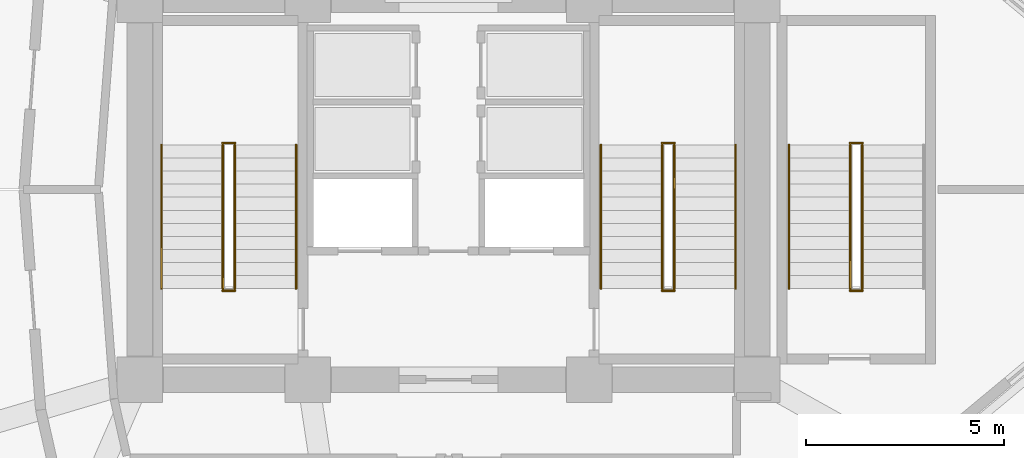
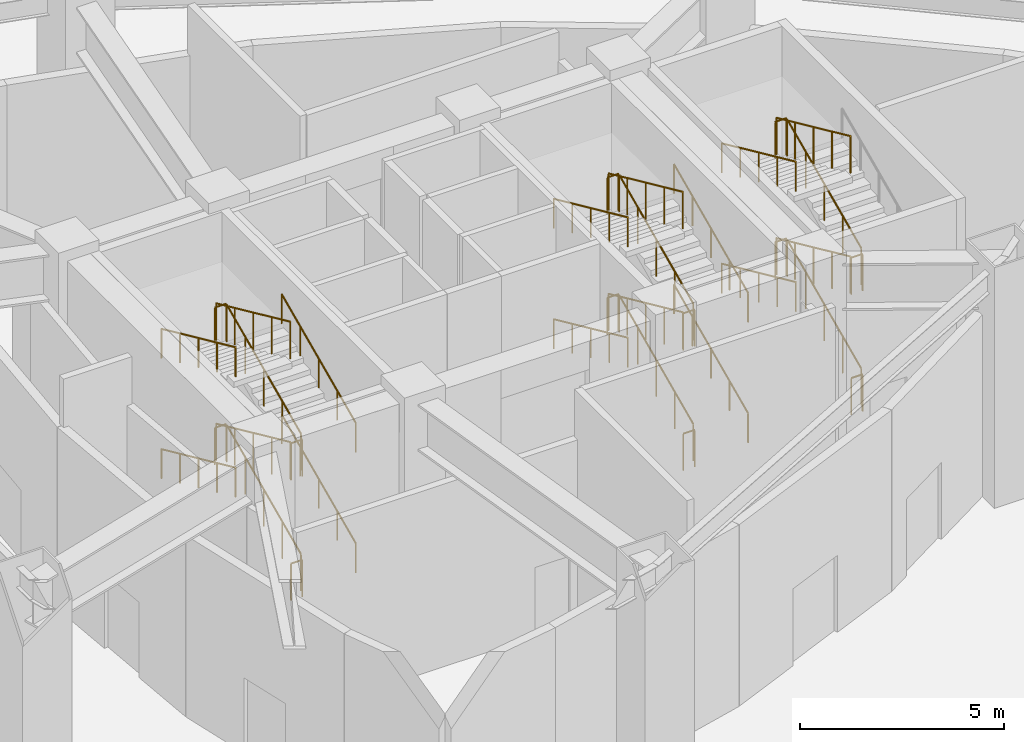
# One storey, part 5 of 7: 34 railings.
"""IFC4 building model written with IfcOpenShell, lengths in metres."""

import ifcopenshell
import ifcopenshell.guid

model = None  # the IFC model being written
_history = None  # IfcOwnerHistory: only IFC2X3 demands one
_inside = {}  # id of a spatial element -> (the spatial element, [elements in it])
_under = {}  # id of a project, library or spatial element -> (it, [spatial elements below it])
_declared = {}  # id of a project -> (the project, [libraries it declares])
_typed = {}  # id of a type object -> (the type object, [elements of that type])
_made_of = {}  # id of a material, layer set ... -> (it, [elements and type objects made of it])


def new_model(schema):
    """Start an empty IFC model of exactly this schema.

    Asked for "IFC4X3", IfcOpenShell would pick the latest addendum, in which some entities
    have other attributes; the version numbers below select the first issue.
    IFC2X3 requires an IfcOwnerHistory on every rooted entity: one is made here for all.
    """
    global model, _history
    if schema == "IFC4X3":
        model = ifcopenshell.file(schema_version=(4, 3, 0, 0))
    else:
        model = ifcopenshell.file(schema=schema)
    _inside.clear()
    _under.clear()
    _declared.clear()
    _typed.clear()
    _made_of.clear()
    _history = None
    if model.schema == "IFC2X3":
        org = make("IfcOrganization", Name="unknown")
        user = make(
            "IfcPersonAndOrganization",
            ThePerson=make("IfcPerson", FamilyName="unknown"),
            TheOrganization=org,
        )
        app = make(
            "IfcApplication",
            ApplicationDeveloper=org,
            Version="unknown",
            ApplicationFullName="unknown",
            ApplicationIdentifier="unknown",
        )
        _history = make(
            "IfcOwnerHistory",
            OwningUser=user,
            OwningApplication=app,
            ChangeAction="ADDED",
            CreationDate=0,
        )
    return model


def make(cls, **values):
    """One entity of the class cls with the attributes given. An attribute that is None is left unset."""
    return model.create_entity(
        cls, **{name: value for name, value in values.items() if value is not None}
    )


def rooted(cls, **values):
    """An entity with a GlobalId (a new one), such as an element, a storey or a relation."""
    return make(cls, GlobalId=ifcopenshell.guid.new(), OwnerHistory=_history, **values)


def si_unit(unit_type, name, prefix=None):
    """IfcSIUnit, for example si_unit("LENGTHUNIT", "METRE", prefix="MILLI")."""
    return make("IfcSIUnit", UnitType=unit_type, Prefix=prefix, Name=name)


def assignment(units):
    """IfcUnitAssignment: the units of a project."""
    return None if units is None else make("IfcUnitAssignment", Units=units)


def point(xyz):
    """IfcCartesianPoint."""
    return None if xyz is None else make("IfcCartesianPoint", Coordinates=xyz)


def direction(xyz):
    """IfcDirection."""
    return None if xyz is None else make("IfcDirection", DirectionRatios=xyz)


def frame(location, z_axis=None, x_axis=None):
    """IfcAxis2Placement3D, a coordinate frame: its origin and axes. An axis left out is left unset."""
    return make(
        "IfcAxis2Placement3D",
        Location=point(location),
        Axis=direction(z_axis),
        RefDirection=direction(x_axis),
    )


def frame_2d(location, x_axis=None):
    """IfcAxis2Placement2D, a coordinate frame in the plane: its origin and x axis."""
    return make(
        "IfcAxis2Placement2D", Location=point(location), RefDirection=direction(x_axis)
    )


def origin():
    """The frame at (0, 0, 0) with its axes left unset."""
    return frame((0.0, 0.0, 0.0))


def origin_2d():
    """The frame at (0, 0) in the plane with its x axis left unset."""
    return frame_2d((0.0, 0.0))


def place(relative_to, where):
    """IfcLocalPlacement: puts the frame where relative to a parent placement (None: the world)."""
    return make(
        "IfcLocalPlacement", PlacementRelTo=relative_to, RelativePlacement=where
    )


def context(
    kind, dimensions, precision=None, world=None, true_north=None, identifier=None
):
    """IfcGeometricRepresentationContext, for example the 3D "Model" context."""
    return make(
        "IfcGeometricRepresentationContext",
        ContextIdentifier=identifier,
        ContextType=kind,
        CoordinateSpaceDimension=dimensions,
        Precision=precision,
        WorldCoordinateSystem=world,
        TrueNorth=true_north,
    )


def subcontext(parent, identifier, kind, view, scale=None):
    """IfcGeometricRepresentationSubContext, for example "Body" below "Model"."""
    return make(
        "IfcGeometricRepresentationSubContext",
        ContextIdentifier=identifier,
        ContextType=kind,
        ParentContext=parent,
        TargetScale=scale,
        TargetView=view,
    )


def project(units=None, contexts=None):
    """IfcProject with its units and contexts."""
    return rooted(
        "IfcProject",
        Name="project",
        RepresentationContexts=contexts,
        UnitsInContext=assignment(units),
    )


def spatial(cls, under=None, at=None, **own):
    """A site, building, storey or space (cls), placed at a placement, below another one or the project."""
    s = rooted(cls, ObjectPlacement=at, **own)
    if under is not None:
        _under.setdefault(under.id(), (under, []))[1].append(s)
    return s


def profile(cls, at=None, kind="AREA", **sizes):
    """A parametric profile (cls). Its sizes go by their IFC names, for example OverallWidth=200.0."""
    return make(cls, ProfileType=kind, Position=at, **sizes)


def circle(**sizes):
    """IfcCircleProfileDef."""
    return profile("IfcCircleProfileDef", **sizes)


def extrude(swept, where, along, depth):
    """IfcExtrudedAreaSolid: the profile swept, set in the frame where, extruded along a direction by depth."""
    return make(
        "IfcExtrudedAreaSolid",
        SweptArea=swept,
        Position=where,
        ExtrudedDirection=direction(along),
        Depth=depth,
    )


def shape(context_of_items, identifier, shape_type, items):
    """IfcShapeRepresentation: the items that make up one representation, for example the "Body"."""
    return make(
        "IfcShapeRepresentation",
        ContextOfItems=context_of_items,
        RepresentationIdentifier=identifier,
        RepresentationType=shape_type,
        Items=items,
    )


def material(Name=None, Category=None):
    """IfcMaterial."""
    return make("IfcMaterial", Name=Name, Category=Category)


def made_of(thing, what):
    """Note that an element or type object is made of a material, layer set ...; save() writes the relation."""
    if what is not None:
        _made_of.setdefault(what.id(), (what, []))[1].append(thing)
    return thing


def type_object(cls, material=None, **own):
    """A type object (cls), such as IfcWallType, which elements share."""
    return made_of(rooted(cls, **own), material)


def element(
    cls,
    number,
    at=None,
    inside=None,
    cuts=None,
    type_object=None,
    material=None,
    context=None,
    identifier="Body",
    shape_type=None,
    held_by="IfcProductDefinitionShape",
    body=None,
    shapes=None,
    **own,
):
    """One element of the class cls, such as IfcWall. Its Tag is "e" and its number.

    at: its placement. inside: the storey or other place that contains it. cuts: it is an
    opening in that element (IfcRelVoidsElement). A single representation is given by context,
    identifier, shape_type and body (its items); several are given by shapes. held_by: the class
    of the entity that holds the representations. save() writes the other relations.
    """
    e = rooted(cls, Tag="e%d" % number, ObjectPlacement=at, **own)
    if body is not None:
        shapes = [shape(context, identifier, shape_type, body)]
    if shapes is not None:
        e.Representation = make(held_by, Representations=shapes)
    if inside is not None:
        _inside.setdefault(inside.id(), (inside, []))[1].append(e)
    if cuts is not None:
        rooted(
            "IfcRelVoidsElement", RelatingBuildingElement=cuts, RelatedOpeningElement=e
        )
    if type_object is not None:
        _typed.setdefault(type_object.id(), (type_object, []))[1].append(e)
    return made_of(e, material)


def aggregate(whole, parts):
    """IfcRelAggregates: a whole, such as a stair, and the parts it consists of."""
    return rooted("IfcRelAggregates", RelatingObject=whole, RelatedObjects=parts)


def save(model, path):
    """Write the relations noted so far, then the file.

    IfcRelAggregates (storeys below a building ...), IfcRelContainedInSpatialStructure (elements
    in a storey), IfcRelDefinesByType, IfcRelAssociatesMaterial and IfcRelDeclares: one each for
    every whole, place, type object, material and project.
    """
    for whole, parts in _under.values():
        aggregate(whole, parts)
    for where, things in _inside.values():
        rooted(
            "IfcRelContainedInSpatialStructure",
            RelatedElements=things,
            RelatingStructure=where,
        )
    for kind, things in _typed.values():
        rooted("IfcRelDefinesByType", RelatedObjects=things, RelatingType=kind)
    for what, things in _made_of.values():
        rooted("IfcRelAssociatesMaterial", RelatedObjects=things, RelatingMaterial=what)
    for by, libraries in _declared.values():
        rooted("IfcRelDeclares", RelatingContext=by, RelatedDefinitions=libraries)
    model.write(path)


model = new_model("IFC4")

# Units and contexts
model_context = context("Model", 3, precision=1e-05, world=origin(), true_north=direction((0.0, 1.0)))
body_context = subcontext(model_context, "Body", "Model", "MODEL_VIEW")
ifc_project = project(units=[si_unit("LENGTHUNIT", "METRE"), si_unit("AREAUNIT", "SQUARE_METRE"), si_unit("VOLUMEUNIT", "CUBIC_METRE"), si_unit("PLANEANGLEUNIT", "RADIAN"), si_unit("MASSUNIT", "GRAM", prefix="KILO")], contexts=[model_context])

# Site, building, storey
site_placement = place(None, origin())
site = spatial("IfcSite", under=ifc_project, at=site_placement, CompositionType="ELEMENT")
building_placement = place(site_placement, origin())
building = spatial("IfcBuilding", under=site, at=building_placement, Name="Menara Vayukalpa", CompositionType="ELEMENT")
storey_placement = place(building_placement, origin())
storey = spatial("IfcBuildingStorey", under=building, at=storey_placement, Name="L00", CompositionType="ELEMENT", Elevation=0.0)

# Railings
ifc_material_1 = material(Name="Powder-Coated Galvanised Steel Guardrail", Category="steel")
railing_type_1 = type_object("IfcRailingType", Name="RLG-STG110", PredefinedType="GUARDRAIL", material=ifc_material_1)
railing_1_placement = place(storey_placement, frame((20.199951171875, 19.5, 0.14990234375)))
element("IfcRailing", 1, at=railing_1_placement, inside=storey, type_object=railing_type_1, Name="L00 ST-1 stair guard 1", PredefinedType="GUARDRAIL", context=body_context, shape_type="SweptSolid", body=[
    extrude(circle(Radius=0.02392578125, at=origin_2d()), frame((0.0, 0.0, 1.09619140625), z_axis=(0.0, 0.910347604671, 0.41384446193), x_axis=(-1.0, 0.0, 0.0)), (0.0, 0.0, 1.0), 3.9873046875),
    extrude(circle(Radius=0.02099609375, at=origin_2d()), origin(), (0.0, 0.0, 1.0), 1.072021484375),
    extrude(circle(Radius=0.02099609375, at=origin_2d()), frame((0.0, 0.907470703125, 0.41259765625)), (0.0, 0.0, 1.0), 1.072021484375),
    extrude(circle(Radius=0.02099609375, at=origin_2d()), frame((0.0, 1.81494140625, 0.8251953125)), (0.0, 0.0, 1.0), 1.072021484375),
    extrude(circle(Radius=0.02099609375, at=origin_2d()), frame((0.0, 2.722412109375, 1.237548828125)), (0.0, 0.0, 1.0), 1.072021484375),
    extrude(circle(Radius=0.02099609375, at=origin_2d()), frame((0.0, 3.6298828125, 1.650146484375)), (0.0, 0.0, 1.0), 1.072021484375),
])
railing_2_placement = place(storey_placement, frame((20.2099609375, 23.179931640625, 1.800048828125)))
element("IfcRailing", 2, at=railing_2_placement, inside=storey, type_object=railing_type_1, Name="L00 ST-1 stair guard 2", PredefinedType="GUARDRAIL", context=body_context, shape_type="SweptSolid", body=[
    extrude(circle(Radius=0.02392578125, at=origin_2d()), frame((0.0, 0.0, 1.09619140625), z_axis=(-1.0, 0.0, 0.0), x_axis=(0.0, -1.0, 0.0)), (0.0, 0.0, 1.0), 0.320068359375),
    extrude(circle(Radius=0.02099609375, at=origin_2d()), origin(), (0.0, 0.0, 1.0), 1.072021484375),
    extrude(circle(Radius=0.02099609375, at=origin_2d()), frame((-0.320068359375, 0.0, 0.0)), (0.0, 0.0, 1.0), 1.072021484375),
])
railing_3_placement = place(storey_placement, frame((19.89990234375, 23.1298828125, 1.949951171875)))
element("IfcRailing", 3, at=railing_3_placement, inside=storey, type_object=railing_type_1, Name="L00 ST-1 stair guard 3", PredefinedType="GUARDRAIL", context=body_context, shape_type="SweptSolid", body=[
    extrude(circle(Radius=0.02392578125, at=origin_2d()), frame((0.0, 0.0, 1.09619140625), z_axis=(0.0, -0.910347604671, 0.41384446193), x_axis=(1.0, 0.0, 0.0)), (0.0, 0.0, 1.0), 3.9873046875),
    extrude(circle(Radius=0.02099609375, at=origin_2d()), origin(), (0.0, 0.0, 1.0), 1.072021484375),
    extrude(circle(Radius=0.02099609375, at=origin_2d()), frame((0.0, -0.907470703125, 0.41259765625)), (0.0, 0.0, 1.0), 1.072021484375),
    extrude(circle(Radius=0.02099609375, at=origin_2d()), frame((0.0, -1.81494140625, 0.8251953125)), (0.0, 0.0, 1.0), 1.072021484375),
    extrude(circle(Radius=0.02099609375, at=origin_2d()), frame((0.0, -2.722412109375, 1.237548828125)), (0.0, 0.0, 1.0), 1.072021484375),
    extrude(circle(Radius=0.02099609375, at=origin_2d()), frame((0.0, -3.6298828125, 1.650146484375)), (0.0, 0.0, 1.0), 1.072021484375),
])
railing_4_placement = place(storey_placement, frame((20.2099609375, 19.449951171875, 3.60009765625)))
element("IfcRailing", 4, at=railing_4_placement, inside=storey, type_object=railing_type_1, Name="L00 ST-1 stair guard 4", PredefinedType="GUARDRAIL", context=body_context, shape_type="SweptSolid", body=[
    extrude(circle(Radius=0.02392578125, at=origin_2d()), frame((0.0, 0.0, 1.09619140625), z_axis=(-1.0, 0.0, 0.0), x_axis=(0.0, -1.0, 0.0)), (0.0, 0.0, 1.0), 0.320068359375),
    extrude(circle(Radius=0.02099609375, at=origin_2d()), origin(), (0.0, 0.0, 1.0), 1.072021484375),
    extrude(circle(Radius=0.02099609375, at=origin_2d()), frame((-0.320068359375, 0.0, 0.0)), (0.0, 0.0, 1.0), 1.072021484375),
])
railing_5_placement = place(storey_placement, frame((20.199951171875, 19.5, 3.75)))
element("IfcRailing", 5, at=railing_5_placement, inside=storey, type_object=railing_type_1, Name="L00 ST-1 stair guard 5", PredefinedType="GUARDRAIL", context=body_context, shape_type="SweptSolid", body=[
    extrude(circle(Radius=0.02392578125, at=origin_2d()), frame((0.0, 0.0, 1.09619140625), z_axis=(0.0, 0.910370671265, 0.413793717811), x_axis=(-1.0, 0.0, 0.0)), (0.0, 0.0, 1.0), 3.9873046875),
    extrude(circle(Radius=0.02099609375, at=origin_2d()), origin(), (0.0, 0.0, 1.0), 1.072021484375),
    extrude(circle(Radius=0.02099609375, at=origin_2d()), frame((0.0, 0.907470703125, 0.41259765625)), (0.0, 0.0, 1.0), 1.072021484375),
    extrude(circle(Radius=0.02099609375, at=origin_2d()), frame((0.0, 1.81494140625, 0.824951171875)), (0.0, 0.0, 1.0), 1.072021484375),
    extrude(circle(Radius=0.02099609375, at=origin_2d()), frame((0.0, 2.722412109375, 1.2373046875)), (0.0, 0.0, 1.0), 1.072021484375),
    extrude(circle(Radius=0.02099609375, at=origin_2d()), frame((0.0, 3.6298828125, 1.64990234375)), (0.0, 0.0, 1.0), 1.072021484375),
])
railing_6_placement = place(storey_placement, frame((20.2099609375, 23.179931640625, 5.39990234375)))
element("IfcRailing", 6, at=railing_6_placement, inside=storey, type_object=railing_type_1, Name="L00 ST-1 stair guard 6", PredefinedType="GUARDRAIL", context=body_context, shape_type="SweptSolid", body=[
    extrude(circle(Radius=0.02392578125, at=origin_2d()), frame((0.0, 0.0, 1.09619140625), z_axis=(-1.0, 0.0, 0.0), x_axis=(0.0, -1.0, 0.0)), (0.0, 0.0, 1.0), 0.320068359375),
    extrude(circle(Radius=0.02099609375, at=origin_2d()), origin(), (0.0, 0.0, 1.0), 1.072021484375),
    extrude(circle(Radius=0.02099609375, at=origin_2d()), frame((-0.320068359375, 0.0, 0.0)), (0.0, 0.0, 1.0), 1.072021484375),
])
railing_7_placement = place(storey_placement, frame((19.89990234375, 23.1298828125, 5.550048828125)))
element("IfcRailing", 7, at=railing_7_placement, inside=storey, type_object=railing_type_1, Name="L00 ST-1 stair guard 7", PredefinedType="GUARDRAIL", context=body_context, shape_type="SweptSolid", body=[
    extrude(circle(Radius=0.02392578125, at=origin_2d()), frame((0.0, 0.0, 1.09619140625), z_axis=(0.0, -0.910370671265, 0.413793717811), x_axis=(1.0, 0.0, 0.0)), (0.0, 0.0, 1.0), 3.9873046875),
    extrude(circle(Radius=0.02099609375, at=origin_2d()), origin(), (0.0, 0.0, 1.0), 1.072021484375),
    extrude(circle(Radius=0.02099609375, at=origin_2d()), frame((0.0, -0.907470703125, 0.41259765625)), (0.0, 0.0, 1.0), 1.072021484375),
    extrude(circle(Radius=0.02099609375, at=origin_2d()), frame((0.0, -1.81494140625, 0.824951171875)), (0.0, 0.0, 1.0), 1.072021484375),
    extrude(circle(Radius=0.02099609375, at=origin_2d()), frame((0.0, -2.722412109375, 1.2373046875)), (0.0, 0.0, 1.0), 1.072021484375),
    extrude(circle(Radius=0.02099609375, at=origin_2d()), frame((0.0, -3.6298828125, 1.64990234375)), (0.0, 0.0, 1.0), 1.072021484375),
])
railing_8_placement = place(storey_placement, frame((20.2099609375, 19.449951171875, 0.0)))
element("IfcRailing", 8, at=railing_8_placement, inside=storey, type_object=railing_type_1, Name="L00 ST-1 stair guard 8", PredefinedType="GUARDRAIL", context=body_context, shape_type="SweptSolid", body=[
    extrude(circle(Radius=0.02392578125, at=origin_2d()), frame((0.0, 0.0, 1.09619140625), z_axis=(-1.0, 0.0, 0.0), x_axis=(0.0, -1.0, 0.0)), (0.0, 0.0, 1.0), 0.320068359375),
    extrude(circle(Radius=0.02099609375, at=origin_2d()), origin(), (0.0, 0.0, 1.0), 1.072021484375),
    extrude(circle(Radius=0.02099609375, at=origin_2d()), frame((-0.320068359375, 0.0, 0.0)), (0.0, 0.0, 1.0), 1.072021484375),
])
railing_9_placement = place(storey_placement, frame((31.300048828125, 19.5, 0.14990234375)))
element("IfcRailing", 9, at=railing_9_placement, inside=storey, type_object=railing_type_1, Name="L00 ST-2 stair guard 1", PredefinedType="GUARDRAIL", context=body_context, shape_type="SweptSolid", body=[
    extrude(circle(Radius=0.02392578125, at=origin_2d()), frame((0.0, 0.0, 1.09619140625), z_axis=(0.0, 0.910347604671, 0.41384446193), x_axis=(-1.0, 0.0, 0.0)), (0.0, 0.0, 1.0), 3.9873046875),
    extrude(circle(Radius=0.02099609375, at=origin_2d()), origin(), (0.0, 0.0, 1.0), 1.072021484375),
    extrude(circle(Radius=0.02099609375, at=origin_2d()), frame((0.0, 0.907470703125, 0.41259765625)), (0.0, 0.0, 1.0), 1.072021484375),
    extrude(circle(Radius=0.02099609375, at=origin_2d()), frame((0.0, 1.81494140625, 0.8251953125)), (0.0, 0.0, 1.0), 1.072021484375),
    extrude(circle(Radius=0.02099609375, at=origin_2d()), frame((0.0, 2.722412109375, 1.237548828125)), (0.0, 0.0, 1.0), 1.072021484375),
    extrude(circle(Radius=0.02099609375, at=origin_2d()), frame((0.0, 3.6298828125, 1.650146484375)), (0.0, 0.0, 1.0), 1.072021484375),
])
railing_10_placement = place(storey_placement, frame((31.31005859375, 23.179931640625, 1.800048828125)))
element("IfcRailing", 10, at=railing_10_placement, inside=storey, type_object=railing_type_1, Name="L00 ST-2 stair guard 2", PredefinedType="GUARDRAIL", context=body_context, shape_type="SweptSolid", body=[
    extrude(circle(Radius=0.02392578125, at=origin_2d()), frame((0.0, 0.0, 1.09619140625), z_axis=(-1.0, 0.0, 0.0), x_axis=(0.0, -1.0, 0.0)), (0.0, 0.0, 1.0), 0.320068359375),
    extrude(circle(Radius=0.02099609375, at=origin_2d()), origin(), (0.0, 0.0, 1.0), 1.072021484375),
    extrude(circle(Radius=0.02099609375, at=origin_2d()), frame((-0.320068359375, 0.0, 0.0)), (0.0, 0.0, 1.0), 1.072021484375),
])
railing_11_placement = place(storey_placement, frame((31.0, 23.1298828125, 1.949951171875)))
element("IfcRailing", 11, at=railing_11_placement, inside=storey, type_object=railing_type_1, Name="L00 ST-2 stair guard 3", PredefinedType="GUARDRAIL", context=body_context, shape_type="SweptSolid", body=[
    extrude(circle(Radius=0.02392578125, at=origin_2d()), frame((0.0, 0.0, 1.09619140625), z_axis=(0.0, -0.910347604671, 0.41384446193), x_axis=(1.0, 0.0, 0.0)), (0.0, 0.0, 1.0), 3.9873046875),
    extrude(circle(Radius=0.02099609375, at=origin_2d()), origin(), (0.0, 0.0, 1.0), 1.072021484375),
    extrude(circle(Radius=0.02099609375, at=origin_2d()), frame((0.0, -0.907470703125, 0.41259765625)), (0.0, 0.0, 1.0), 1.072021484375),
    extrude(circle(Radius=0.02099609375, at=origin_2d()), frame((0.0, -1.81494140625, 0.8251953125)), (0.0, 0.0, 1.0), 1.072021484375),
    extrude(circle(Radius=0.02099609375, at=origin_2d()), frame((0.0, -2.722412109375, 1.237548828125)), (0.0, 0.0, 1.0), 1.072021484375),
    extrude(circle(Radius=0.02099609375, at=origin_2d()), frame((0.0, -3.6298828125, 1.650146484375)), (0.0, 0.0, 1.0), 1.072021484375),
])
railing_12_placement = place(storey_placement, frame((31.31005859375, 19.449951171875, 3.60009765625)))
element("IfcRailing", 12, at=railing_12_placement, inside=storey, type_object=railing_type_1, Name="L00 ST-2 stair guard 4", PredefinedType="GUARDRAIL", context=body_context, shape_type="SweptSolid", body=[
    extrude(circle(Radius=0.02392578125, at=origin_2d()), frame((0.0, 0.0, 1.09619140625), z_axis=(-1.0, 0.0, 0.0), x_axis=(0.0, -1.0, 0.0)), (0.0, 0.0, 1.0), 0.320068359375),
    extrude(circle(Radius=0.02099609375, at=origin_2d()), origin(), (0.0, 0.0, 1.0), 1.072021484375),
    extrude(circle(Radius=0.02099609375, at=origin_2d()), frame((-0.320068359375, 0.0, 0.0)), (0.0, 0.0, 1.0), 1.072021484375),
])
railing_13_placement = place(storey_placement, frame((31.300048828125, 19.5, 3.75)))
element("IfcRailing", 13, at=railing_13_placement, inside=storey, type_object=railing_type_1, Name="L00 ST-2 stair guard 5", PredefinedType="GUARDRAIL", context=body_context, shape_type="SweptSolid", body=[
    extrude(circle(Radius=0.02392578125, at=origin_2d()), frame((0.0, 0.0, 1.09619140625), z_axis=(0.0, 0.910370671265, 0.413793717811), x_axis=(-1.0, 0.0, 0.0)), (0.0, 0.0, 1.0), 3.9873046875),
    extrude(circle(Radius=0.02099609375, at=origin_2d()), origin(), (0.0, 0.0, 1.0), 1.072021484375),
    extrude(circle(Radius=0.02099609375, at=origin_2d()), frame((0.0, 0.907470703125, 0.41259765625)), (0.0, 0.0, 1.0), 1.072021484375),
    extrude(circle(Radius=0.02099609375, at=origin_2d()), frame((0.0, 1.81494140625, 0.824951171875)), (0.0, 0.0, 1.0), 1.072021484375),
    extrude(circle(Radius=0.02099609375, at=origin_2d()), frame((0.0, 2.722412109375, 1.2373046875)), (0.0, 0.0, 1.0), 1.072021484375),
    extrude(circle(Radius=0.02099609375, at=origin_2d()), frame((0.0, 3.6298828125, 1.64990234375)), (0.0, 0.0, 1.0), 1.072021484375),
])
railing_14_placement = place(storey_placement, frame((31.31005859375, 23.179931640625, 5.39990234375)))
element("IfcRailing", 14, at=railing_14_placement, inside=storey, type_object=railing_type_1, Name="L00 ST-2 stair guard 6", PredefinedType="GUARDRAIL", context=body_context, shape_type="SweptSolid", body=[
    extrude(circle(Radius=0.02392578125, at=origin_2d()), frame((0.0, 0.0, 1.09619140625), z_axis=(-1.0, 0.0, 0.0), x_axis=(0.0, -1.0, 0.0)), (0.0, 0.0, 1.0), 0.320068359375),
    extrude(circle(Radius=0.02099609375, at=origin_2d()), origin(), (0.0, 0.0, 1.0), 1.072021484375),
    extrude(circle(Radius=0.02099609375, at=origin_2d()), frame((-0.320068359375, 0.0, 0.0)), (0.0, 0.0, 1.0), 1.072021484375),
])
railing_15_placement = place(storey_placement, frame((31.0, 23.1298828125, 5.550048828125)))
element("IfcRailing", 15, at=railing_15_placement, inside=storey, type_object=railing_type_1, Name="L00 ST-2 stair guard 7", PredefinedType="GUARDRAIL", context=body_context, shape_type="SweptSolid", body=[
    extrude(circle(Radius=0.02392578125, at=origin_2d()), frame((0.0, 0.0, 1.09619140625), z_axis=(0.0, -0.910370671265, 0.413793717811), x_axis=(1.0, 0.0, 0.0)), (0.0, 0.0, 1.0), 3.9873046875),
    extrude(circle(Radius=0.02099609375, at=origin_2d()), origin(), (0.0, 0.0, 1.0), 1.072021484375),
    extrude(circle(Radius=0.02099609375, at=origin_2d()), frame((0.0, -0.907470703125, 0.41259765625)), (0.0, 0.0, 1.0), 1.072021484375),
    extrude(circle(Radius=0.02099609375, at=origin_2d()), frame((0.0, -1.81494140625, 0.824951171875)), (0.0, 0.0, 1.0), 1.072021484375),
    extrude(circle(Radius=0.02099609375, at=origin_2d()), frame((0.0, -2.722412109375, 1.2373046875)), (0.0, 0.0, 1.0), 1.072021484375),
    extrude(circle(Radius=0.02099609375, at=origin_2d()), frame((0.0, -3.6298828125, 1.64990234375)), (0.0, 0.0, 1.0), 1.072021484375),
])
railing_16_placement = place(storey_placement, frame((31.31005859375, 19.449951171875, 0.0)))
element("IfcRailing", 16, at=railing_16_placement, inside=storey, type_object=railing_type_1, Name="L00 ST-2 stair guard 8", PredefinedType="GUARDRAIL", context=body_context, shape_type="SweptSolid", body=[
    extrude(circle(Radius=0.02392578125, at=origin_2d()), frame((0.0, 0.0, 1.09619140625), z_axis=(-1.0, 0.0, 0.0), x_axis=(0.0, -1.0, 0.0)), (0.0, 0.0, 1.0), 0.320068359375),
    extrude(circle(Radius=0.02099609375, at=origin_2d()), origin(), (0.0, 0.0, 1.0), 1.072021484375),
    extrude(circle(Radius=0.02099609375, at=origin_2d()), frame((-0.320068359375, 0.0, 0.0)), (0.0, 0.0, 1.0), 1.072021484375),
])
railing_17_placement = place(storey_placement, frame((36.050048828125, 19.5, 0.14990234375)))
element("IfcRailing", 17, at=railing_17_placement, inside=storey, type_object=railing_type_1, Name="L00 ST-3 stair guard 1", PredefinedType="GUARDRAIL", context=body_context, shape_type="SweptSolid", body=[
    extrude(circle(Radius=0.02392578125, at=origin_2d()), frame((0.0, 0.0, 1.09619140625), z_axis=(0.0, 0.910347604671, 0.41384446193), x_axis=(-1.0, 0.0, 0.0)), (0.0, 0.0, 1.0), 3.9873046875),
    extrude(circle(Radius=0.02099609375, at=origin_2d()), origin(), (0.0, 0.0, 1.0), 1.072021484375),
    extrude(circle(Radius=0.02099609375, at=origin_2d()), frame((0.0, 0.907470703125, 0.41259765625)), (0.0, 0.0, 1.0), 1.072021484375),
    extrude(circle(Radius=0.02099609375, at=origin_2d()), frame((0.0, 1.81494140625, 0.8251953125)), (0.0, 0.0, 1.0), 1.072021484375),
    extrude(circle(Radius=0.02099609375, at=origin_2d()), frame((0.0, 2.722412109375, 1.237548828125)), (0.0, 0.0, 1.0), 1.072021484375),
    extrude(circle(Radius=0.02099609375, at=origin_2d()), frame((0.0, 3.6298828125, 1.650146484375)), (0.0, 0.0, 1.0), 1.072021484375),
])
railing_18_placement = place(storey_placement, frame((36.06005859375, 23.179931640625, 1.800048828125)))
element("IfcRailing", 18, at=railing_18_placement, inside=storey, type_object=railing_type_1, Name="L00 ST-3 stair guard 2", PredefinedType="GUARDRAIL", context=body_context, shape_type="SweptSolid", body=[
    extrude(circle(Radius=0.02392578125, at=origin_2d()), frame((0.0, 0.0, 1.09619140625), z_axis=(-1.0, 0.0, 0.0), x_axis=(0.0, -1.0, 0.0)), (0.0, 0.0, 1.0), 0.320068359375),
    extrude(circle(Radius=0.02099609375, at=origin_2d()), origin(), (0.0, 0.0, 1.0), 1.072021484375),
    extrude(circle(Radius=0.02099609375, at=origin_2d()), frame((-0.320068359375, 0.0, 0.0)), (0.0, 0.0, 1.0), 1.072021484375),
])
railing_19_placement = place(storey_placement, frame((35.75, 23.1298828125, 1.949951171875)))
element("IfcRailing", 19, at=railing_19_placement, inside=storey, type_object=railing_type_1, Name="L00 ST-3 stair guard 3", PredefinedType="GUARDRAIL", context=body_context, shape_type="SweptSolid", body=[
    extrude(circle(Radius=0.02392578125, at=origin_2d()), frame((0.0, 0.0, 1.09619140625), z_axis=(0.0, -0.910347604671, 0.41384446193), x_axis=(1.0, 0.0, 0.0)), (0.0, 0.0, 1.0), 3.9873046875),
    extrude(circle(Radius=0.02099609375, at=origin_2d()), origin(), (0.0, 0.0, 1.0), 1.072021484375),
    extrude(circle(Radius=0.02099609375, at=origin_2d()), frame((0.0, -0.907470703125, 0.41259765625)), (0.0, 0.0, 1.0), 1.072021484375),
    extrude(circle(Radius=0.02099609375, at=origin_2d()), frame((0.0, -1.81494140625, 0.8251953125)), (0.0, 0.0, 1.0), 1.072021484375),
    extrude(circle(Radius=0.02099609375, at=origin_2d()), frame((0.0, -2.722412109375, 1.237548828125)), (0.0, 0.0, 1.0), 1.072021484375),
    extrude(circle(Radius=0.02099609375, at=origin_2d()), frame((0.0, -3.6298828125, 1.650146484375)), (0.0, 0.0, 1.0), 1.072021484375),
])
railing_20_placement = place(storey_placement, frame((36.06005859375, 19.449951171875, 3.60009765625)))
element("IfcRailing", 20, at=railing_20_placement, inside=storey, type_object=railing_type_1, Name="L00 ST-3 stair guard 4", PredefinedType="GUARDRAIL", context=body_context, shape_type="SweptSolid", body=[
    extrude(circle(Radius=0.02392578125, at=origin_2d()), frame((0.0, 0.0, 1.09619140625), z_axis=(-1.0, 0.0, 0.0), x_axis=(0.0, -1.0, 0.0)), (0.0, 0.0, 1.0), 0.320068359375),
    extrude(circle(Radius=0.02099609375, at=origin_2d()), origin(), (0.0, 0.0, 1.0), 1.072021484375),
    extrude(circle(Radius=0.02099609375, at=origin_2d()), frame((-0.320068359375, 0.0, 0.0)), (0.0, 0.0, 1.0), 1.072021484375),
])
railing_21_placement = place(storey_placement, frame((36.050048828125, 19.5, 3.75)))
element("IfcRailing", 21, at=railing_21_placement, inside=storey, type_object=railing_type_1, Name="L00 ST-3 stair guard 5", PredefinedType="GUARDRAIL", context=body_context, shape_type="SweptSolid", body=[
    extrude(circle(Radius=0.02392578125, at=origin_2d()), frame((0.0, 0.0, 1.09619140625), z_axis=(0.0, 0.910370671265, 0.413793717811), x_axis=(-1.0, 0.0, 0.0)), (0.0, 0.0, 1.0), 3.9873046875),
    extrude(circle(Radius=0.02099609375, at=origin_2d()), origin(), (0.0, 0.0, 1.0), 1.072021484375),
    extrude(circle(Radius=0.02099609375, at=origin_2d()), frame((0.0, 0.907470703125, 0.41259765625)), (0.0, 0.0, 1.0), 1.072021484375),
    extrude(circle(Radius=0.02099609375, at=origin_2d()), frame((0.0, 1.81494140625, 0.824951171875)), (0.0, 0.0, 1.0), 1.072021484375),
    extrude(circle(Radius=0.02099609375, at=origin_2d()), frame((0.0, 2.722412109375, 1.2373046875)), (0.0, 0.0, 1.0), 1.072021484375),
    extrude(circle(Radius=0.02099609375, at=origin_2d()), frame((0.0, 3.6298828125, 1.64990234375)), (0.0, 0.0, 1.0), 1.072021484375),
])
railing_22_placement = place(storey_placement, frame((36.06005859375, 23.179931640625, 5.39990234375)))
element("IfcRailing", 22, at=railing_22_placement, inside=storey, type_object=railing_type_1, Name="L00 ST-3 stair guard 6", PredefinedType="GUARDRAIL", context=body_context, shape_type="SweptSolid", body=[
    extrude(circle(Radius=0.02392578125, at=origin_2d()), frame((0.0, 0.0, 1.09619140625), z_axis=(-1.0, 0.0, 0.0), x_axis=(0.0, -1.0, 0.0)), (0.0, 0.0, 1.0), 0.320068359375),
    extrude(circle(Radius=0.02099609375, at=origin_2d()), origin(), (0.0, 0.0, 1.0), 1.072021484375),
    extrude(circle(Radius=0.02099609375, at=origin_2d()), frame((-0.320068359375, 0.0, 0.0)), (0.0, 0.0, 1.0), 1.072021484375),
])
railing_23_placement = place(storey_placement, frame((35.75, 23.1298828125, 5.550048828125)))
element("IfcRailing", 23, at=railing_23_placement, inside=storey, type_object=railing_type_1, Name="L00 ST-3 stair guard 7", PredefinedType="GUARDRAIL", context=body_context, shape_type="SweptSolid", body=[
    extrude(circle(Radius=0.02392578125, at=origin_2d()), frame((0.0, 0.0, 1.09619140625), z_axis=(0.0, -0.910370671265, 0.413793717811), x_axis=(1.0, 0.0, 0.0)), (0.0, 0.0, 1.0), 3.9873046875),
    extrude(circle(Radius=0.02099609375, at=origin_2d()), origin(), (0.0, 0.0, 1.0), 1.072021484375),
    extrude(circle(Radius=0.02099609375, at=origin_2d()), frame((0.0, -0.907470703125, 0.41259765625)), (0.0, 0.0, 1.0), 1.072021484375),
    extrude(circle(Radius=0.02099609375, at=origin_2d()), frame((0.0, -1.81494140625, 0.824951171875)), (0.0, 0.0, 1.0), 1.072021484375),
    extrude(circle(Radius=0.02099609375, at=origin_2d()), frame((0.0, -2.722412109375, 1.2373046875)), (0.0, 0.0, 1.0), 1.072021484375),
    extrude(circle(Radius=0.02099609375, at=origin_2d()), frame((0.0, -3.6298828125, 1.64990234375)), (0.0, 0.0, 1.0), 1.072021484375),
])
railing_24_placement = place(storey_placement, frame((36.06005859375, 19.449951171875, 0.0)))
element("IfcRailing", 24, at=railing_24_placement, inside=storey, type_object=railing_type_1, Name="L00 ST-3 stair guard 8", PredefinedType="GUARDRAIL", context=body_context, shape_type="SweptSolid", body=[
    extrude(circle(Radius=0.02392578125, at=origin_2d()), frame((0.0, 0.0, 1.09619140625), z_axis=(-1.0, 0.0, 0.0), x_axis=(0.0, -1.0, 0.0)), (0.0, 0.0, 1.0), 0.320068359375),
    extrude(circle(Radius=0.02099609375, at=origin_2d()), origin(), (0.0, 0.0, 1.0), 1.072021484375),
    extrude(circle(Radius=0.02099609375, at=origin_2d()), frame((-0.320068359375, 0.0, 0.0)), (0.0, 0.0, 1.0), 1.072021484375),
])
ifc_material_2 = material(Name="Stainless Steel 316 Tubular Handrail", Category="steel")
railing_type_2 = type_object("IfcRailingType", Name="RLG-STH090", PredefinedType="HANDRAIL", material=ifc_material_2)
railing_25_placement = place(storey_placement, frame((21.75, 19.5, 0.14990234375)))
element("IfcRailing", 25, at=railing_25_placement, inside=storey, type_object=railing_type_2, Name="L00 ST-1 stair handrail 1", PredefinedType="HANDRAIL", context=body_context, shape_type="SweptSolid", body=[
    extrude(circle(Radius=0.02392578125, at=origin_2d()), frame((0.0, 0.0, 0.8759765625), z_axis=(0.0, 0.910347604671, 0.41384446193), x_axis=(-1.0, 0.0, 0.0)), (0.0, 0.0, 1.0), 3.9873046875),
    extrude(circle(Radius=0.02099609375, at=origin_2d()), origin(), (0.0, 0.0, 1.0), 0.851806640625),
    extrude(circle(Radius=0.02099609375, at=origin_2d()), frame((0.0, 0.907470703125, 0.41259765625)), (0.0, 0.0, 1.0), 0.851806640625),
    extrude(circle(Radius=0.02099609375, at=origin_2d()), frame((0.0, 1.81494140625, 0.8251953125)), (0.0, 0.0, 1.0), 0.851806640625),
    extrude(circle(Radius=0.02099609375, at=origin_2d()), frame((0.0, 2.722412109375, 1.237548828125)), (0.0, 0.0, 1.0), 0.851806640625),
    extrude(circle(Radius=0.02099609375, at=origin_2d()), frame((0.0, 3.6298828125, 1.650146484375)), (0.0, 0.0, 1.0), 0.851806640625),
])
railing_26_placement = place(storey_placement, frame((18.35009765625, 23.1298828125, 1.949951171875)))
element("IfcRailing", 26, at=railing_26_placement, inside=storey, type_object=railing_type_2, Name="L00 ST-1 stair handrail 2", PredefinedType="HANDRAIL", context=body_context, shape_type="SweptSolid", body=[
    extrude(circle(Radius=0.02392578125, at=origin_2d()), frame((0.0, 0.0, 0.8759765625), z_axis=(0.0, -0.910347604671, 0.41384446193), x_axis=(1.0, 0.0, 0.0)), (0.0, 0.0, 1.0), 3.9873046875),
    extrude(circle(Radius=0.02099609375, at=origin_2d()), origin(), (0.0, 0.0, 1.0), 0.851806640625),
    extrude(circle(Radius=0.02099609375, at=origin_2d()), frame((0.0, -0.907470703125, 0.41259765625)), (0.0, 0.0, 1.0), 0.851806640625),
    extrude(circle(Radius=0.02099609375, at=origin_2d()), frame((0.0, -1.81494140625, 0.8251953125)), (0.0, 0.0, 1.0), 0.851806640625),
    extrude(circle(Radius=0.02099609375, at=origin_2d()), frame((0.0, -2.722412109375, 1.237548828125)), (0.0, 0.0, 1.0), 0.851806640625),
    extrude(circle(Radius=0.02099609375, at=origin_2d()), frame((0.0, -3.6298828125, 1.650146484375)), (0.0, 0.0, 1.0), 0.851806640625),
])
railing_27_placement = place(storey_placement, frame((21.75, 19.5, 3.75)))
element("IfcRailing", 27, at=railing_27_placement, inside=storey, type_object=railing_type_2, Name="L00 ST-1 stair handrail 3", PredefinedType="HANDRAIL", context=body_context, shape_type="SweptSolid", body=[
    extrude(circle(Radius=0.02392578125, at=origin_2d()), frame((0.0, 0.0, 0.8759765625), z_axis=(0.0, 0.910370671265, 0.413793717811), x_axis=(-1.0, 0.0, 0.0)), (0.0, 0.0, 1.0), 3.9873046875),
    extrude(circle(Radius=0.02099609375, at=origin_2d()), origin(), (0.0, 0.0, 1.0), 0.851806640625),
    extrude(circle(Radius=0.02099609375, at=origin_2d()), frame((0.0, 0.907470703125, 0.41259765625)), (0.0, 0.0, 1.0), 0.851806640625),
    extrude(circle(Radius=0.02099609375, at=origin_2d()), frame((0.0, 1.81494140625, 0.824951171875)), (0.0, 0.0, 1.0), 0.851806640625),
    extrude(circle(Radius=0.02099609375, at=origin_2d()), frame((0.0, 2.722412109375, 1.2373046875)), (0.0, 0.0, 1.0), 0.851806640625),
    extrude(circle(Radius=0.02099609375, at=origin_2d()), frame((0.0, 3.6298828125, 1.64990234375)), (0.0, 0.0, 1.0), 0.851806640625),
])
railing_28_placement = place(storey_placement, frame((18.35009765625, 23.1298828125, 5.550048828125)))
element("IfcRailing", 28, at=railing_28_placement, inside=storey, type_object=railing_type_2, Name="L00 ST-1 stair handrail 4", PredefinedType="HANDRAIL", context=body_context, shape_type="SweptSolid", body=[
    extrude(circle(Radius=0.02392578125, at=origin_2d()), frame((0.0, 0.0, 0.8759765625), z_axis=(0.0, -0.910370671265, 0.413793717811), x_axis=(1.0, 0.0, 0.0)), (0.0, 0.0, 1.0), 3.9873046875),
    extrude(circle(Radius=0.02099609375, at=origin_2d()), origin(), (0.0, 0.0, 1.0), 0.851806640625),
    extrude(circle(Radius=0.02099609375, at=origin_2d()), frame((0.0, -0.907470703125, 0.41259765625)), (0.0, 0.0, 1.0), 0.851806640625),
    extrude(circle(Radius=0.02099609375, at=origin_2d()), frame((0.0, -1.81494140625, 0.824951171875)), (0.0, 0.0, 1.0), 0.851806640625),
    extrude(circle(Radius=0.02099609375, at=origin_2d()), frame((0.0, -2.722412109375, 1.2373046875)), (0.0, 0.0, 1.0), 0.851806640625),
    extrude(circle(Radius=0.02099609375, at=origin_2d()), frame((0.0, -3.6298828125, 1.64990234375)), (0.0, 0.0, 1.0), 0.851806640625),
])
railing_29_placement = place(storey_placement, frame((32.85009765625, 19.5, 0.14990234375)))
element("IfcRailing", 29, at=railing_29_placement, inside=storey, type_object=railing_type_2, Name="L00 ST-2 stair handrail 1", PredefinedType="HANDRAIL", context=body_context, shape_type="SweptSolid", body=[
    extrude(circle(Radius=0.02392578125, at=origin_2d()), frame((0.0, 0.0, 0.8759765625), z_axis=(0.0, 0.910347604671, 0.41384446193), x_axis=(-1.0, 0.0, 0.0)), (0.0, 0.0, 1.0), 3.9873046875),
    extrude(circle(Radius=0.02099609375, at=origin_2d()), origin(), (0.0, 0.0, 1.0), 0.851806640625),
    extrude(circle(Radius=0.02099609375, at=origin_2d()), frame((0.0, 0.907470703125, 0.41259765625)), (0.0, 0.0, 1.0), 0.851806640625),
    extrude(circle(Radius=0.02099609375, at=origin_2d()), frame((0.0, 1.81494140625, 0.8251953125)), (0.0, 0.0, 1.0), 0.851806640625),
    extrude(circle(Radius=0.02099609375, at=origin_2d()), frame((0.0, 2.722412109375, 1.237548828125)), (0.0, 0.0, 1.0), 0.851806640625),
    extrude(circle(Radius=0.02099609375, at=origin_2d()), frame((0.0, 3.6298828125, 1.650146484375)), (0.0, 0.0, 1.0), 0.851806640625),
])
railing_30_placement = place(storey_placement, frame((29.449951171875, 23.1298828125, 1.949951171875)))
element("IfcRailing", 30, at=railing_30_placement, inside=storey, type_object=railing_type_2, Name="L00 ST-2 stair handrail 2", PredefinedType="HANDRAIL", context=body_context, shape_type="SweptSolid", body=[
    extrude(circle(Radius=0.02392578125, at=origin_2d()), frame((0.0, 0.0, 0.8759765625), z_axis=(0.0, -0.910347604671, 0.41384446193), x_axis=(1.0, 0.0, 0.0)), (0.0, 0.0, 1.0), 3.9873046875),
    extrude(circle(Radius=0.02099609375, at=origin_2d()), origin(), (0.0, 0.0, 1.0), 0.851806640625),
    extrude(circle(Radius=0.02099609375, at=origin_2d()), frame((0.0, -0.907470703125, 0.41259765625)), (0.0, 0.0, 1.0), 0.851806640625),
    extrude(circle(Radius=0.02099609375, at=origin_2d()), frame((0.0, -1.81494140625, 0.8251953125)), (0.0, 0.0, 1.0), 0.851806640625),
    extrude(circle(Radius=0.02099609375, at=origin_2d()), frame((0.0, -2.722412109375, 1.237548828125)), (0.0, 0.0, 1.0), 0.851806640625),
    extrude(circle(Radius=0.02099609375, at=origin_2d()), frame((0.0, -3.6298828125, 1.650146484375)), (0.0, 0.0, 1.0), 0.851806640625),
])
railing_31_placement = place(storey_placement, frame((32.85009765625, 19.5, 3.75)))
element("IfcRailing", 31, at=railing_31_placement, inside=storey, type_object=railing_type_2, Name="L00 ST-2 stair handrail 3", PredefinedType="HANDRAIL", context=body_context, shape_type="SweptSolid", body=[
    extrude(circle(Radius=0.02392578125, at=origin_2d()), frame((0.0, 0.0, 0.8759765625), z_axis=(0.0, 0.910370671265, 0.413793717811), x_axis=(-1.0, 0.0, 0.0)), (0.0, 0.0, 1.0), 3.9873046875),
    extrude(circle(Radius=0.02099609375, at=origin_2d()), origin(), (0.0, 0.0, 1.0), 0.851806640625),
    extrude(circle(Radius=0.02099609375, at=origin_2d()), frame((0.0, 0.907470703125, 0.41259765625)), (0.0, 0.0, 1.0), 0.851806640625),
    extrude(circle(Radius=0.02099609375, at=origin_2d()), frame((0.0, 1.81494140625, 0.824951171875)), (0.0, 0.0, 1.0), 0.851806640625),
    extrude(circle(Radius=0.02099609375, at=origin_2d()), frame((0.0, 2.722412109375, 1.2373046875)), (0.0, 0.0, 1.0), 0.851806640625),
    extrude(circle(Radius=0.02099609375, at=origin_2d()), frame((0.0, 3.6298828125, 1.64990234375)), (0.0, 0.0, 1.0), 0.851806640625),
])
railing_32_placement = place(storey_placement, frame((29.449951171875, 23.1298828125, 5.550048828125)))
element("IfcRailing", 32, at=railing_32_placement, inside=storey, type_object=railing_type_2, Name="L00 ST-2 stair handrail 4", PredefinedType="HANDRAIL", context=body_context, shape_type="SweptSolid", body=[
    extrude(circle(Radius=0.02392578125, at=origin_2d()), frame((0.0, 0.0, 0.8759765625), z_axis=(0.0, -0.910370671265, 0.413793717811), x_axis=(1.0, 0.0, 0.0)), (0.0, 0.0, 1.0), 3.9873046875),
    extrude(circle(Radius=0.02099609375, at=origin_2d()), origin(), (0.0, 0.0, 1.0), 0.851806640625),
    extrude(circle(Radius=0.02099609375, at=origin_2d()), frame((0.0, -0.907470703125, 0.41259765625)), (0.0, 0.0, 1.0), 0.851806640625),
    extrude(circle(Radius=0.02099609375, at=origin_2d()), frame((0.0, -1.81494140625, 0.824951171875)), (0.0, 0.0, 1.0), 0.851806640625),
    extrude(circle(Radius=0.02099609375, at=origin_2d()), frame((0.0, -2.722412109375, 1.2373046875)), (0.0, 0.0, 1.0), 0.851806640625),
    extrude(circle(Radius=0.02099609375, at=origin_2d()), frame((0.0, -3.6298828125, 1.64990234375)), (0.0, 0.0, 1.0), 0.851806640625),
])
railing_33_placement = place(storey_placement, frame((34.199951171875, 23.1298828125, 1.949951171875)))
element("IfcRailing", 33, at=railing_33_placement, inside=storey, type_object=railing_type_2, Name="L00 ST-3 stair handrail 2", PredefinedType="HANDRAIL", context=body_context, shape_type="SweptSolid", body=[
    extrude(circle(Radius=0.02392578125, at=origin_2d()), frame((0.0, 0.0, 0.8759765625), z_axis=(0.0, -0.910347604671, 0.41384446193), x_axis=(1.0, 0.0, 0.0)), (0.0, 0.0, 1.0), 3.9873046875),
    extrude(circle(Radius=0.02099609375, at=origin_2d()), origin(), (0.0, 0.0, 1.0), 0.851806640625),
    extrude(circle(Radius=0.02099609375, at=origin_2d()), frame((0.0, -0.907470703125, 0.41259765625)), (0.0, 0.0, 1.0), 0.851806640625),
    extrude(circle(Radius=0.02099609375, at=origin_2d()), frame((0.0, -1.81494140625, 0.8251953125)), (0.0, 0.0, 1.0), 0.851806640625),
    extrude(circle(Radius=0.02099609375, at=origin_2d()), frame((0.0, -2.722412109375, 1.237548828125)), (0.0, 0.0, 1.0), 0.851806640625),
    extrude(circle(Radius=0.02099609375, at=origin_2d()), frame((0.0, -3.6298828125, 1.650146484375)), (0.0, 0.0, 1.0), 0.851806640625),
])
railing_34_placement = place(storey_placement, frame((34.199951171875, 23.1298828125, 5.550048828125)))
element("IfcRailing", 34, at=railing_34_placement, inside=storey, type_object=railing_type_2, Name="L00 ST-3 stair handrail 4", PredefinedType="HANDRAIL", context=body_context, shape_type="SweptSolid", body=[
    extrude(circle(Radius=0.02392578125, at=origin_2d()), frame((0.0, 0.0, 0.8759765625), z_axis=(0.0, -0.910370671265, 0.413793717811), x_axis=(1.0, 0.0, 0.0)), (0.0, 0.0, 1.0), 3.9873046875),
    extrude(circle(Radius=0.02099609375, at=origin_2d()), origin(), (0.0, 0.0, 1.0), 0.851806640625),
    extrude(circle(Radius=0.02099609375, at=origin_2d()), frame((0.0, -0.907470703125, 0.41259765625)), (0.0, 0.0, 1.0), 0.851806640625),
    extrude(circle(Radius=0.02099609375, at=origin_2d()), frame((0.0, -1.81494140625, 0.824951171875)), (0.0, 0.0, 1.0), 0.851806640625),
    extrude(circle(Radius=0.02099609375, at=origin_2d()), frame((0.0, -2.722412109375, 1.2373046875)), (0.0, 0.0, 1.0), 0.851806640625),
    extrude(circle(Radius=0.02099609375, at=origin_2d()), frame((0.0, -3.6298828125, 1.64990234375)), (0.0, 0.0, 1.0), 0.851806640625),
])

save(model, "model.ifc")
